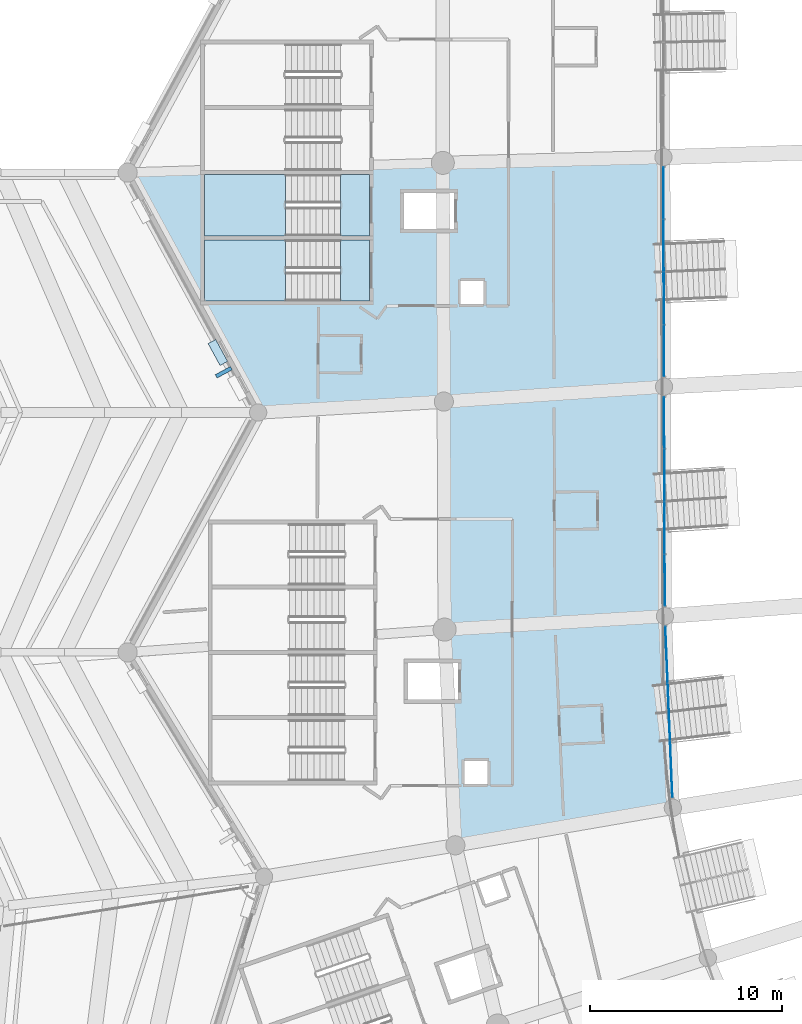
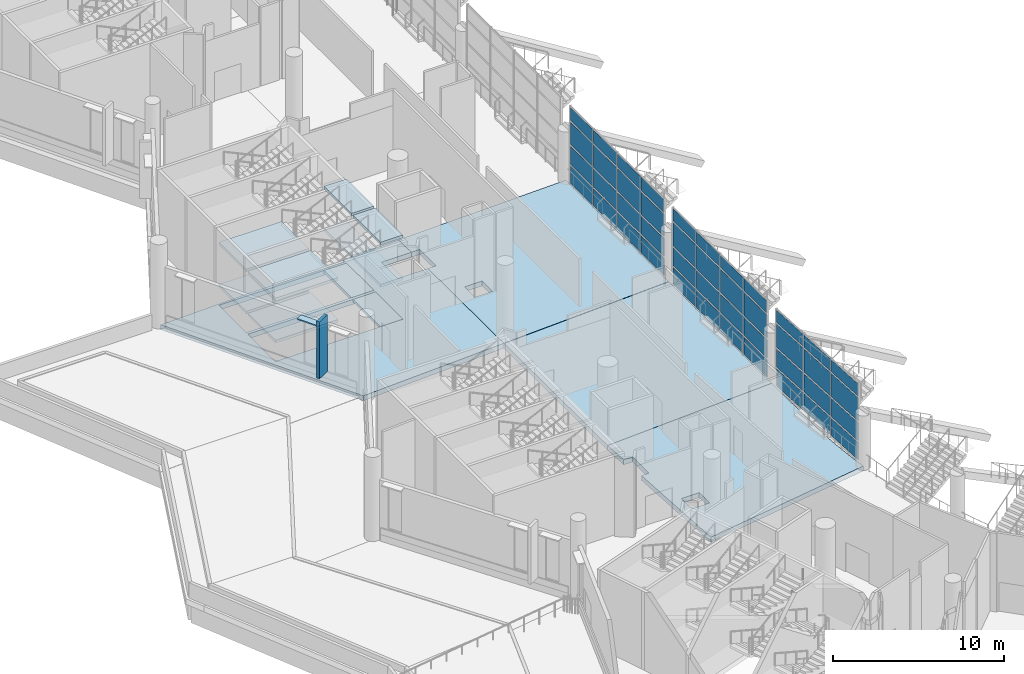
# One storey, part 25 of 173: 46 plates, 14 slabs, 5 elements without a shape of their own.
"""IFC4 building model written with IfcOpenShell, lengths in metres."""

import ifcopenshell
import ifcopenshell.guid

model = None  # the IFC model being written
_history = None  # IfcOwnerHistory: only IFC2X3 demands one
_inside = {}  # id of a spatial element -> (the spatial element, [elements in it])
_under = {}  # id of a project, library or spatial element -> (it, [spatial elements below it])
_declared = {}  # id of a project -> (the project, [libraries it declares])
_typed = {}  # id of a type object -> (the type object, [elements of that type])
_made_of = {}  # id of a material, layer set ... -> (it, [elements and type objects made of it])


def new_model(schema):
    """Start an empty IFC model of exactly this schema.

    Asked for "IFC4X3", IfcOpenShell would pick the latest addendum, in which some entities
    have other attributes; the version numbers below select the first issue.
    IFC2X3 requires an IfcOwnerHistory on every rooted entity: one is made here for all.
    """
    global model, _history
    if schema == "IFC4X3":
        model = ifcopenshell.file(schema_version=(4, 3, 0, 0))
    else:
        model = ifcopenshell.file(schema=schema)
    _inside.clear()
    _under.clear()
    _declared.clear()
    _typed.clear()
    _made_of.clear()
    _history = None
    if model.schema == "IFC2X3":
        org = make("IfcOrganization", Name="unknown")
        user = make(
            "IfcPersonAndOrganization",
            ThePerson=make("IfcPerson", FamilyName="unknown"),
            TheOrganization=org,
        )
        app = make(
            "IfcApplication",
            ApplicationDeveloper=org,
            Version="unknown",
            ApplicationFullName="unknown",
            ApplicationIdentifier="unknown",
        )
        _history = make(
            "IfcOwnerHistory",
            OwningUser=user,
            OwningApplication=app,
            ChangeAction="ADDED",
            CreationDate=0,
        )
    return model


def make(cls, **values):
    """One entity of the class cls with the attributes given. An attribute that is None is left unset."""
    return model.create_entity(
        cls, **{name: value for name, value in values.items() if value is not None}
    )


def rooted(cls, **values):
    """An entity with a GlobalId (a new one), such as an element, a storey or a relation."""
    return make(cls, GlobalId=ifcopenshell.guid.new(), OwnerHistory=_history, **values)


def si_unit(unit_type, name, prefix=None):
    """IfcSIUnit, for example si_unit("LENGTHUNIT", "METRE", prefix="MILLI")."""
    return make("IfcSIUnit", UnitType=unit_type, Prefix=prefix, Name=name)


def assignment(units):
    """IfcUnitAssignment: the units of a project."""
    return None if units is None else make("IfcUnitAssignment", Units=units)


def point(xyz):
    """IfcCartesianPoint."""
    return None if xyz is None else make("IfcCartesianPoint", Coordinates=xyz)


def direction(xyz):
    """IfcDirection."""
    return None if xyz is None else make("IfcDirection", DirectionRatios=xyz)


def frame(location, z_axis=None, x_axis=None):
    """IfcAxis2Placement3D, a coordinate frame: its origin and axes. An axis left out is left unset."""
    return make(
        "IfcAxis2Placement3D",
        Location=point(location),
        Axis=direction(z_axis),
        RefDirection=direction(x_axis),
    )


def frame_2d(location, x_axis=None):
    """IfcAxis2Placement2D, a coordinate frame in the plane: its origin and x axis."""
    return make(
        "IfcAxis2Placement2D", Location=point(location), RefDirection=direction(x_axis)
    )


def origin():
    """The frame at (0, 0, 0) with its axes left unset."""
    return frame((0.0, 0.0, 0.0))


def origin_2d():
    """The frame at (0, 0) in the plane with its x axis left unset."""
    return frame_2d((0.0, 0.0))


def place(relative_to, where):
    """IfcLocalPlacement: puts the frame where relative to a parent placement (None: the world)."""
    return make(
        "IfcLocalPlacement", PlacementRelTo=relative_to, RelativePlacement=where
    )


def context(
    kind, dimensions, precision=None, world=None, true_north=None, identifier=None
):
    """IfcGeometricRepresentationContext, for example the 3D "Model" context."""
    return make(
        "IfcGeometricRepresentationContext",
        ContextIdentifier=identifier,
        ContextType=kind,
        CoordinateSpaceDimension=dimensions,
        Precision=precision,
        WorldCoordinateSystem=world,
        TrueNorth=true_north,
    )


def subcontext(parent, identifier, kind, view, scale=None):
    """IfcGeometricRepresentationSubContext, for example "Body" below "Model"."""
    return make(
        "IfcGeometricRepresentationSubContext",
        ContextIdentifier=identifier,
        ContextType=kind,
        ParentContext=parent,
        TargetScale=scale,
        TargetView=view,
    )


def project(units=None, contexts=None):
    """IfcProject with its units and contexts."""
    return rooted(
        "IfcProject",
        Name="project",
        RepresentationContexts=contexts,
        UnitsInContext=assignment(units),
    )


def spatial(cls, under=None, at=None, **own):
    """A site, building, storey or space (cls), placed at a placement, below another one or the project."""
    s = rooted(cls, ObjectPlacement=at, **own)
    if under is not None:
        _under.setdefault(under.id(), (under, []))[1].append(s)
    return s


def polyline(points):
    """IfcPolyline through the points."""
    return make("IfcPolyline", Points=[point(p) for p in points])


def profile(cls, at=None, kind="AREA", **sizes):
    """A parametric profile (cls). Its sizes go by their IFC names, for example OverallWidth=200.0."""
    return make(cls, ProfileType=kind, Position=at, **sizes)


def rectangle(**sizes):
    """IfcRectangleProfileDef."""
    return profile("IfcRectangleProfileDef", **sizes)


def outline(outer, holes=None, kind="AREA"):
    """IfcArbitraryClosedProfileDef: a profile drawn as a closed curve; with holes, ...WithVoids."""
    if holes is None:
        return make("IfcArbitraryClosedProfileDef", ProfileType=kind, OuterCurve=outer)
    return make(
        "IfcArbitraryProfileDefWithVoids",
        ProfileType=kind,
        OuterCurve=outer,
        InnerCurves=holes,
    )


def extrude(swept, where, along, depth):
    """IfcExtrudedAreaSolid: the profile swept, set in the frame where, extruded along a direction by depth."""
    return make(
        "IfcExtrudedAreaSolid",
        SweptArea=swept,
        Position=where,
        ExtrudedDirection=direction(along),
        Depth=depth,
    )


def shape(context_of_items, identifier, shape_type, items):
    """IfcShapeRepresentation: the items that make up one representation, for example the "Body"."""
    return make(
        "IfcShapeRepresentation",
        ContextOfItems=context_of_items,
        RepresentationIdentifier=identifier,
        RepresentationType=shape_type,
        Items=items,
    )


def material(Name=None, Category=None):
    """IfcMaterial."""
    return make("IfcMaterial", Name=Name, Category=Category)


def layer(
    of_material, thickness, ventilated=None, Name=None, Category=None, Priority=None
):
    """IfcMaterialLayer: one layer of a wall or slab, of a material (None: an air gap)."""
    return make(
        "IfcMaterialLayer",
        Material=of_material,
        LayerThickness=thickness,
        IsVentilated=ventilated,
        Name=Name,
        Category=Category,
        Priority=Priority,
    )


def layer_set(layers, Name=None):
    """IfcMaterialLayerSet."""
    return make("IfcMaterialLayerSet", MaterialLayers=layers, LayerSetName=Name)


def made_of(thing, what):
    """Note that an element or type object is made of a material, layer set ...; save() writes the relation."""
    if what is not None:
        _made_of.setdefault(what.id(), (what, []))[1].append(thing)
    return thing


def type_object(cls, material=None, **own):
    """A type object (cls), such as IfcWallType, which elements share."""
    return made_of(rooted(cls, **own), material)


def element(
    cls,
    number,
    at=None,
    inside=None,
    cuts=None,
    type_object=None,
    material=None,
    context=None,
    identifier="Body",
    shape_type=None,
    held_by="IfcProductDefinitionShape",
    body=None,
    shapes=None,
    **own,
):
    """One element of the class cls, such as IfcWall. Its Tag is "e" and its number.

    at: its placement. inside: the storey or other place that contains it. cuts: it is an
    opening in that element (IfcRelVoidsElement). A single representation is given by context,
    identifier, shape_type and body (its items); several are given by shapes. held_by: the class
    of the entity that holds the representations. save() writes the other relations.
    """
    e = rooted(cls, Tag="e%d" % number, ObjectPlacement=at, **own)
    if body is not None:
        shapes = [shape(context, identifier, shape_type, body)]
    if shapes is not None:
        e.Representation = make(held_by, Representations=shapes)
    if inside is not None:
        _inside.setdefault(inside.id(), (inside, []))[1].append(e)
    if cuts is not None:
        rooted(
            "IfcRelVoidsElement", RelatingBuildingElement=cuts, RelatedOpeningElement=e
        )
    if type_object is not None:
        _typed.setdefault(type_object.id(), (type_object, []))[1].append(e)
    return made_of(e, material)


def aggregate(whole, parts):
    """IfcRelAggregates: a whole, such as a stair, and the parts it consists of."""
    return rooted("IfcRelAggregates", RelatingObject=whole, RelatedObjects=parts)


def save(model, path):
    """Write the relations noted so far, then the file.

    IfcRelAggregates (storeys below a building ...), IfcRelContainedInSpatialStructure (elements
    in a storey), IfcRelDefinesByType, IfcRelAssociatesMaterial and IfcRelDeclares: one each for
    every whole, place, type object, material and project.
    """
    for whole, parts in _under.values():
        aggregate(whole, parts)
    for where, things in _inside.values():
        rooted(
            "IfcRelContainedInSpatialStructure",
            RelatedElements=things,
            RelatingStructure=where,
        )
    for kind, things in _typed.values():
        rooted("IfcRelDefinesByType", RelatedObjects=things, RelatingType=kind)
    for what, things in _made_of.values():
        rooted("IfcRelAssociatesMaterial", RelatedObjects=things, RelatingMaterial=what)
    for by, libraries in _declared.values():
        rooted("IfcRelDeclares", RelatingContext=by, RelatedDefinitions=libraries)
    model.write(path)


model = new_model("IFC4")

# Units and contexts
model_context = context("Model", 3, precision=1e-05, world=origin(), true_north=direction((0.0, 1.0)))
body_context = subcontext(model_context, "Body", "Model", "MODEL_VIEW")
ifc_project = project(units=[si_unit("LENGTHUNIT", "METRE"), si_unit("AREAUNIT", "SQUARE_METRE"), si_unit("VOLUMEUNIT", "CUBIC_METRE"), si_unit("PLANEANGLEUNIT", "RADIAN"), si_unit("MASSUNIT", "GRAM", prefix="KILO")], contexts=[model_context])

# Site, building, storey
site_placement = place(None, origin())
site = spatial("IfcSite", under=ifc_project, at=site_placement, CompositionType="ELEMENT")
building_placement = place(site_placement, origin())
building = spatial("IfcBuilding", under=site, at=building_placement, Name="Meseta Stadium", CompositionType="ELEMENT")
storey_placement = place(building_placement, frame((0.0, 0.0, 18.0)))
storey = spatial("IfcBuildingStorey", under=building, at=storey_placement, Name="L03", CompositionType="ELEMENT", Elevation=18.0)

# Curtain wall, plates
ifc_material_1 = material(Name="Aluminium", Category="aluminium")
ifc_layer_1 = layer(ifc_material_1, 0.25)
ifc_layer_set_1 = layer_set([ifc_layer_1], Name="Media Centre glazing curtain wall")
curtain_wall_type = type_object("IfcCurtainWallType", Name="Media Centre glazing curtain wall", PredefinedType="NOTDEFINED", material=ifc_layer_set_1)
curtain_wall_1_placement = place(storey_placement, origin())
curtain_wall_1 = element("IfcCurtainWall", 1, at=curtain_wall_1_placement, inside=storey, type_object=curtain_wall_type, Name="Media Centre glazing bay 34", PredefinedType="NOTDEFINED")
ifc_material_2 = material(Name="Glass", Category="glass")
ifc_layer_2 = layer(ifc_material_2, 0.028076171875)
ifc_layer_set_2 = layer_set([ifc_layer_2], Name="CW glass panel 28")
plate_type_1 = type_object("IfcPlateType", Name="CW glass panel 28", PredefinedType="CURTAIN_PANEL", material=ifc_layer_set_2)
plate_1_placement = place(storey_placement, frame((-73.4775390625, -19.81298828125, 0.1201171875), z_axis=(0.0, 0.0, 1.0), x_axis=(0.002605544184, -0.999996605564, 0.0)))
plate_1 = element("IfcPlate", 2, at=plate_1_placement, type_object=plate_type_1, Name="CWM panel 1.1", PredefinedType="CURTAIN_PANEL", context=body_context, shape_type="SweptSolid", body=[
    extrude(rectangle(XDim=2.660400390625, YDim=0.028076171875, at=origin_2d()), origin(), (0.0, 0.0, 1.0), 1.232421875),
])
plate_2_placement = place(storey_placement, frame((-73.4775390625, -19.81298828125, 1.472412109375), z_axis=(0.0, 0.0, 1.0), x_axis=(0.002605544184, -0.999996605564, 0.0)))
plate_2 = element("IfcPlate", 3, at=plate_2_placement, type_object=plate_type_1, Name="CWM panel 1.2", PredefinedType="CURTAIN_PANEL", context=body_context, shape_type="SweptSolid", body=[
    extrude(rectangle(XDim=2.660400390625, YDim=0.028076171875, at=origin_2d()), origin(), (0.0, 0.0, 1.0), 1.29248046875),
])
plate_3_placement = place(storey_placement, frame((-73.4775390625, -19.81298828125, 2.884765625), z_axis=(0.0, 0.0, 1.0), x_axis=(0.002605544184, -0.999996605564, 0.0)))
plate_3 = element("IfcPlate", 4, at=plate_3_placement, type_object=plate_type_1, Name="CWM panel 1.3", PredefinedType="CURTAIN_PANEL", context=body_context, shape_type="SweptSolid", body=[
    extrude(rectangle(XDim=2.660400390625, YDim=0.028076171875, at=origin_2d()), origin(), (0.0, 0.0, 1.0), 1.593505859375),
])
plate_4_placement = place(storey_placement, frame((-73.4775390625, -19.81298828125, 4.5986328125), z_axis=(0.0, 0.0, 1.0), x_axis=(0.002605544184, -0.999996605564, 0.0)))
plate_4 = element("IfcPlate", 5, at=plate_4_placement, type_object=plate_type_1, Name="CWM panel 1.4", PredefinedType="CURTAIN_PANEL", context=body_context, shape_type="SweptSolid", body=[
    extrude(rectangle(XDim=2.660400390625, YDim=0.028076171875, at=origin_2d()), origin(), (0.0, 0.0, 1.0), 0.931396484375),
])
plate_5_placement = place(storey_placement, frame((-73.470458984375, -22.54833984375, 0.1201171875), z_axis=(0.0, 0.0, 1.0), x_axis=(0.002605544184, -0.999996605564, 0.0)))
plate_5 = element("IfcPlate", 6, at=plate_5_placement, type_object=plate_type_1, Name="CWM panel 2.1", PredefinedType="CURTAIN_PANEL", context=body_context, shape_type="SweptSolid", body=[
    extrude(rectangle(XDim=2.6904296875, YDim=0.028076171875, at=origin_2d()), origin(), (0.0, 0.0, 1.0), 1.232421875),
])
plate_6_placement = place(storey_placement, frame((-73.470458984375, -22.54833984375, 1.472412109375), z_axis=(0.0, 0.0, 1.0), x_axis=(0.002605544184, -0.999996605564, 0.0)))
plate_6 = element("IfcPlate", 7, at=plate_6_placement, type_object=plate_type_1, Name="CWM panel 2.2", PredefinedType="CURTAIN_PANEL", context=body_context, shape_type="SweptSolid", body=[
    extrude(rectangle(XDim=2.6904296875, YDim=0.028076171875, at=origin_2d()), origin(), (0.0, 0.0, 1.0), 1.29248046875),
])
plate_7_placement = place(storey_placement, frame((-73.470458984375, -22.54833984375, 2.884765625), z_axis=(0.0, 0.0, 1.0), x_axis=(0.002605544184, -0.999996605564, 0.0)))
plate_7 = element("IfcPlate", 8, at=plate_7_placement, type_object=plate_type_1, Name="CWM panel 2.3", PredefinedType="CURTAIN_PANEL", context=body_context, shape_type="SweptSolid", body=[
    extrude(rectangle(XDim=2.6904296875, YDim=0.028076171875, at=origin_2d()), origin(), (0.0, 0.0, 1.0), 1.593505859375),
])
plate_8_placement = place(storey_placement, frame((-73.470458984375, -22.54833984375, 4.5986328125), z_axis=(0.0, 0.0, 1.0), x_axis=(0.002605544184, -0.999996605564, 0.0)))
plate_8 = element("IfcPlate", 9, at=plate_8_placement, type_object=plate_type_1, Name="CWM panel 2.4", PredefinedType="CURTAIN_PANEL", context=body_context, shape_type="SweptSolid", body=[
    extrude(rectangle(XDim=2.6904296875, YDim=0.028076171875, at=origin_2d()), origin(), (0.0, 0.0, 1.0), 0.931396484375),
])
plate_9_placement = place(storey_placement, frame((-73.46337890625, -25.298828125, 0.1201171875), z_axis=(0.0, 0.0, 1.0), x_axis=(0.002605544184, -0.999996605564, 0.0)))
plate_9 = element("IfcPlate", 10, at=plate_9_placement, type_object=plate_type_1, Name="CWM panel 3.1", PredefinedType="CURTAIN_PANEL", context=body_context, shape_type="SweptSolid", body=[
    extrude(rectangle(XDim=2.6904296875, YDim=0.028076171875, at=origin_2d()), origin(), (0.0, 0.0, 1.0), 1.232421875),
])
plate_10_placement = place(storey_placement, frame((-73.46337890625, -25.298828125, 1.472412109375), z_axis=(0.0, 0.0, 1.0), x_axis=(0.002605544184, -0.999996605564, 0.0)))
plate_10 = element("IfcPlate", 11, at=plate_10_placement, type_object=plate_type_1, Name="CWM panel 3.2", PredefinedType="CURTAIN_PANEL", context=body_context, shape_type="SweptSolid", body=[
    extrude(rectangle(XDim=2.6904296875, YDim=0.028076171875, at=origin_2d()), origin(), (0.0, 0.0, 1.0), 1.29248046875),
])
plate_11_placement = place(storey_placement, frame((-73.46337890625, -25.298828125, 2.884765625), z_axis=(0.0, 0.0, 1.0), x_axis=(0.002605544184, -0.999996605564, 0.0)))
plate_11 = element("IfcPlate", 12, at=plate_11_placement, type_object=plate_type_1, Name="CWM panel 3.3", PredefinedType="CURTAIN_PANEL", context=body_context, shape_type="SweptSolid", body=[
    extrude(rectangle(XDim=2.6904296875, YDim=0.028076171875, at=origin_2d()), origin(), (0.0, 0.0, 1.0), 1.593505859375),
])
plate_12_placement = place(storey_placement, frame((-73.46337890625, -25.298828125, 4.5986328125), z_axis=(0.0, 0.0, 1.0), x_axis=(0.002605544184, -0.999996605564, 0.0)))
plate_12 = element("IfcPlate", 13, at=plate_12_placement, type_object=plate_type_1, Name="CWM panel 3.4", PredefinedType="CURTAIN_PANEL", context=body_context, shape_type="SweptSolid", body=[
    extrude(rectangle(XDim=2.6904296875, YDim=0.028076171875, at=origin_2d()), origin(), (0.0, 0.0, 1.0), 0.931396484375),
])
plate_13_placement = place(storey_placement, frame((-73.4560546875, -28.0341796875, 0.1201171875), z_axis=(0.0, 0.0, 1.0), x_axis=(0.002605544184, -0.999996605564, 0.0)))
plate_13 = element("IfcPlate", 14, at=plate_13_placement, type_object=plate_type_1, Name="CWM panel 4.1", PredefinedType="CURTAIN_PANEL", context=body_context, shape_type="SweptSolid", body=[
    extrude(rectangle(XDim=2.660400390625, YDim=0.028076171875, at=origin_2d()), origin(), (0.0, 0.0, 1.0), 1.232421875),
])
plate_14_placement = place(storey_placement, frame((-73.4560546875, -28.0341796875, 1.472412109375), z_axis=(0.0, 0.0, 1.0), x_axis=(0.002605544184, -0.999996605564, 0.0)))
plate_14 = element("IfcPlate", 15, at=plate_14_placement, type_object=plate_type_1, Name="CWM panel 4.2", PredefinedType="CURTAIN_PANEL", context=body_context, shape_type="SweptSolid", body=[
    extrude(rectangle(XDim=2.660400390625, YDim=0.028076171875, at=origin_2d()), origin(), (0.0, 0.0, 1.0), 1.29248046875),
])
plate_15_placement = place(storey_placement, frame((-73.4560546875, -28.0341796875, 2.884765625), z_axis=(0.0, 0.0, 1.0), x_axis=(0.002605544184, -0.999996605564, 0.0)))
plate_15 = element("IfcPlate", 16, at=plate_15_placement, type_object=plate_type_1, Name="CWM panel 4.3", PredefinedType="CURTAIN_PANEL", context=body_context, shape_type="SweptSolid", body=[
    extrude(rectangle(XDim=2.660400390625, YDim=0.028076171875, at=origin_2d()), origin(), (0.0, 0.0, 1.0), 1.593505859375),
])
plate_16_placement = place(storey_placement, frame((-73.4560546875, -28.0341796875, 4.5986328125), z_axis=(0.0, 0.0, 1.0), x_axis=(0.002605544184, -0.999996605564, 0.0)))
plate_16 = element("IfcPlate", 17, at=plate_16_placement, type_object=plate_type_1, Name="CWM panel 4.4", PredefinedType="CURTAIN_PANEL", context=body_context, shape_type="SweptSolid", body=[
    extrude(rectangle(XDim=2.660400390625, YDim=0.028076171875, at=origin_2d()), origin(), (0.0, 0.0, 1.0), 0.931396484375),
])
aggregate(curtain_wall_1, [plate_1, plate_2, plate_3, plate_4, plate_5, plate_6, plate_7, plate_8, plate_9, plate_10, plate_11, plate_12, plate_13, plate_14, plate_15, plate_16])

curtain_wall_2_placement = place(storey_placement, origin())
curtain_wall_2 = element("IfcCurtainWall", 18, at=curtain_wall_2_placement, inside=storey, type_object=curtain_wall_type, Name="Media Centre glazing bay 35", PredefinedType="NOTDEFINED")
plate_17_placement = place(storey_placement, frame((-73.444091796875, -31.7734375, 0.1201171875), z_axis=(0.0, 0.0, 1.0), x_axis=(0.003895107102, -0.999992414042, 0.0)))
plate_17 = element("IfcPlate", 19, at=plate_17_placement, type_object=plate_type_1, Name="CWM panel 1.1", PredefinedType="CURTAIN_PANEL", context=body_context, shape_type="SweptSolid", body=[
    extrude(rectangle(XDim=2.65966796875, YDim=0.028076171875, at=origin_2d()), origin(), (0.0, 0.0, 1.0), 1.232421875),
])
plate_18_placement = place(storey_placement, frame((-73.444091796875, -31.7734375, 1.472412109375), z_axis=(0.0, 0.0, 1.0), x_axis=(0.003895107102, -0.999992414042, 0.0)))
plate_18 = element("IfcPlate", 20, at=plate_18_placement, type_object=plate_type_1, Name="CWM panel 1.2", PredefinedType="CURTAIN_PANEL", context=body_context, shape_type="SweptSolid", body=[
    extrude(rectangle(XDim=2.65966796875, YDim=0.028076171875, at=origin_2d()), origin(), (0.0, 0.0, 1.0), 1.29248046875),
])
plate_19_placement = place(storey_placement, frame((-73.444091796875, -31.7734375, 2.885009765625), z_axis=(0.0, 0.0, 1.0), x_axis=(0.003895107102, -0.999992414042, 0.0)))
plate_19 = element("IfcPlate", 21, at=plate_19_placement, type_object=plate_type_1, Name="CWM panel 1.3", PredefinedType="CURTAIN_PANEL", context=body_context, shape_type="SweptSolid", body=[
    extrude(rectangle(XDim=2.65966796875, YDim=0.028076171875, at=origin_2d()), origin(), (0.0, 0.0, 1.0), 1.6640625),
])
plate_20_placement = place(storey_placement, frame((-73.444091796875, -31.7734375, 4.669189453125), z_axis=(0.0, 0.0, 1.0), x_axis=(0.003895107102, -0.999992414042, 0.0)))
plate_20 = element("IfcPlate", 22, at=plate_20_placement, type_object=plate_type_1, Name="CWM panel 1.4", PredefinedType="CURTAIN_PANEL", context=body_context, shape_type="SweptSolid", body=[
    extrude(rectangle(XDim=2.65966796875, YDim=0.028076171875, at=origin_2d()), origin(), (0.0, 0.0, 1.0), 0.86083984375),
])
plate_21_placement = place(storey_placement, frame((-73.433349609375, -34.508056640625, 0.1201171875), z_axis=(0.0, 0.0, 1.0), x_axis=(0.003895107102, -0.999992414042, 0.0)))
plate_21 = element("IfcPlate", 23, at=plate_21_placement, type_object=plate_type_1, Name="CWM panel 2.1", PredefinedType="CURTAIN_PANEL", context=body_context, shape_type="SweptSolid", body=[
    extrude(rectangle(XDim=2.689697265625, YDim=0.028076171875, at=origin_2d()), origin(), (0.0, 0.0, 1.0), 1.232421875),
])
plate_22_placement = place(storey_placement, frame((-73.433349609375, -34.508056640625, 1.472412109375), z_axis=(0.0, 0.0, 1.0), x_axis=(0.003895107102, -0.999992414042, 0.0)))
plate_22 = element("IfcPlate", 24, at=plate_22_placement, type_object=plate_type_1, Name="CWM panel 2.2", PredefinedType="CURTAIN_PANEL", context=body_context, shape_type="SweptSolid", body=[
    extrude(rectangle(XDim=2.689697265625, YDim=0.028076171875, at=origin_2d()), origin(), (0.0, 0.0, 1.0), 1.29248046875),
])
plate_23_placement = place(storey_placement, frame((-73.433349609375, -34.508056640625, 2.885009765625), z_axis=(0.0, 0.0, 1.0), x_axis=(0.003895107102, -0.999992414042, 0.0)))
plate_23 = element("IfcPlate", 25, at=plate_23_placement, type_object=plate_type_1, Name="CWM panel 2.3", PredefinedType="CURTAIN_PANEL", context=body_context, shape_type="SweptSolid", body=[
    extrude(rectangle(XDim=2.689697265625, YDim=0.028076171875, at=origin_2d()), origin(), (0.0, 0.0, 1.0), 1.6640625),
])
plate_24_placement = place(storey_placement, frame((-73.433349609375, -34.508056640625, 4.669189453125), z_axis=(0.0, 0.0, 1.0), x_axis=(0.003895107102, -0.999992414042, 0.0)))
plate_24 = element("IfcPlate", 26, at=plate_24_placement, type_object=plate_type_1, Name="CWM panel 2.4", PredefinedType="CURTAIN_PANEL", context=body_context, shape_type="SweptSolid", body=[
    extrude(rectangle(XDim=2.689697265625, YDim=0.028076171875, at=origin_2d()), origin(), (0.0, 0.0, 1.0), 0.86083984375),
])
plate_25_placement = place(storey_placement, frame((-73.422607421875, -37.257568359375, 0.1201171875), z_axis=(0.0, 0.0, 1.0), x_axis=(0.003895107102, -0.999992414042, 0.0)))
plate_25 = element("IfcPlate", 27, at=plate_25_placement, type_object=plate_type_1, Name="CWM panel 3.1", PredefinedType="CURTAIN_PANEL", context=body_context, shape_type="SweptSolid", body=[
    extrude(rectangle(XDim=2.689697265625, YDim=0.028076171875, at=origin_2d()), origin(), (0.0, 0.0, 1.0), 1.232421875),
])
plate_26_placement = place(storey_placement, frame((-73.422607421875, -37.257568359375, 1.472412109375), z_axis=(0.0, 0.0, 1.0), x_axis=(0.003895107102, -0.999992414042, 0.0)))
plate_26 = element("IfcPlate", 28, at=plate_26_placement, type_object=plate_type_1, Name="CWM panel 3.2", PredefinedType="CURTAIN_PANEL", context=body_context, shape_type="SweptSolid", body=[
    extrude(rectangle(XDim=2.689697265625, YDim=0.028076171875, at=origin_2d()), origin(), (0.0, 0.0, 1.0), 1.29248046875),
])
plate_27_placement = place(storey_placement, frame((-73.422607421875, -37.257568359375, 2.885009765625), z_axis=(0.0, 0.0, 1.0), x_axis=(0.003895107102, -0.999992414042, 0.0)))
plate_27 = element("IfcPlate", 29, at=plate_27_placement, type_object=plate_type_1, Name="CWM panel 3.3", PredefinedType="CURTAIN_PANEL", context=body_context, shape_type="SweptSolid", body=[
    extrude(rectangle(XDim=2.689697265625, YDim=0.028076171875, at=origin_2d()), origin(), (0.0, 0.0, 1.0), 1.6640625),
])
plate_28_placement = place(storey_placement, frame((-73.422607421875, -37.257568359375, 4.669189453125), z_axis=(0.0, 0.0, 1.0), x_axis=(0.003895107102, -0.999992414042, 0.0)))
plate_28 = element("IfcPlate", 30, at=plate_28_placement, type_object=plate_type_1, Name="CWM panel 3.4", PredefinedType="CURTAIN_PANEL", context=body_context, shape_type="SweptSolid", body=[
    extrude(rectangle(XDim=2.689697265625, YDim=0.028076171875, at=origin_2d()), origin(), (0.0, 0.0, 1.0), 0.86083984375),
])
plate_29_placement = place(storey_placement, frame((-73.411865234375, -39.9921875, 0.1201171875), z_axis=(0.0, 0.0, 1.0), x_axis=(0.003895107102, -0.999992414042, 0.0)))
plate_29 = element("IfcPlate", 31, at=plate_29_placement, type_object=plate_type_1, Name="CWM panel 4.1", PredefinedType="CURTAIN_PANEL", context=body_context, shape_type="SweptSolid", body=[
    extrude(rectangle(XDim=2.65966796875, YDim=0.028076171875, at=origin_2d()), origin(), (0.0, 0.0, 1.0), 1.232421875),
])
plate_30_placement = place(storey_placement, frame((-73.411865234375, -39.9921875, 1.472412109375), z_axis=(0.0, 0.0, 1.0), x_axis=(0.003895107102, -0.999992414042, 0.0)))
plate_30 = element("IfcPlate", 32, at=plate_30_placement, type_object=plate_type_1, Name="CWM panel 4.2", PredefinedType="CURTAIN_PANEL", context=body_context, shape_type="SweptSolid", body=[
    extrude(rectangle(XDim=2.65966796875, YDim=0.028076171875, at=origin_2d()), origin(), (0.0, 0.0, 1.0), 1.29248046875),
])
plate_31_placement = place(storey_placement, frame((-73.411865234375, -39.9921875, 2.885009765625), z_axis=(0.0, 0.0, 1.0), x_axis=(0.003895107102, -0.999992414042, 0.0)))
plate_31 = element("IfcPlate", 33, at=plate_31_placement, type_object=plate_type_1, Name="CWM panel 4.3", PredefinedType="CURTAIN_PANEL", context=body_context, shape_type="SweptSolid", body=[
    extrude(rectangle(XDim=2.65966796875, YDim=0.028076171875, at=origin_2d()), origin(), (0.0, 0.0, 1.0), 1.6640625),
])
plate_32_placement = place(storey_placement, frame((-73.411865234375, -39.9921875, 4.669189453125), z_axis=(0.0, 0.0, 1.0), x_axis=(0.003895107102, -0.999992414042, 0.0)))
plate_32 = element("IfcPlate", 34, at=plate_32_placement, type_object=plate_type_1, Name="CWM panel 4.4", PredefinedType="CURTAIN_PANEL", context=body_context, shape_type="SweptSolid", body=[
    extrude(rectangle(XDim=2.65966796875, YDim=0.028076171875, at=origin_2d()), origin(), (0.0, 0.0, 1.0), 0.86083984375),
])
aggregate(curtain_wall_2, [plate_17, plate_18, plate_19, plate_20, plate_21, plate_22, plate_23, plate_24, plate_25, plate_26, plate_27, plate_28, plate_29, plate_30, plate_31, plate_32])

curtain_wall_3_placement = place(storey_placement, origin())
curtain_wall_3 = element("IfcCurtainWall", 35, at=curtain_wall_3_placement, inside=storey, type_object=curtain_wall_type, Name="Media Centre glazing bay 36", PredefinedType="NOTDEFINED")
plate_33_placement = place(storey_placement, frame((-73.322265625, -43.860107421875, 0.1201171875), z_axis=(0.0, 0.0, 1.0), x_axis=(0.041275320623, -0.999147810841, 0.0)))
plate_33 = element("IfcPlate", 36, at=plate_33_placement, type_object=plate_type_1, Name="CWM panel 1.1", PredefinedType="CURTAIN_PANEL", context=body_context, shape_type="SweptSolid", body=[
    extrude(rectangle(XDim=2.920654296875, YDim=0.028076171875, at=origin_2d()), origin(), (0.0, 0.0, 1.0), 1.232421875),
])
plate_34_placement = place(storey_placement, frame((-73.322265625, -43.860107421875, 1.472412109375), z_axis=(0.0, 0.0, 1.0), x_axis=(0.041275320623, -0.999147810841, 0.0)))
plate_34 = element("IfcPlate", 37, at=plate_34_placement, type_object=plate_type_1, Name="CWM panel 1.2", PredefinedType="CURTAIN_PANEL", context=body_context, shape_type="SweptSolid", body=[
    extrude(rectangle(XDim=2.920654296875, YDim=0.028076171875, at=origin_2d()), origin(), (0.0, 0.0, 1.0), 1.29248046875),
])
plate_35_placement = place(storey_placement, frame((-73.322265625, -43.860107421875, 2.885009765625), z_axis=(0.0, 0.0, 1.0), x_axis=(0.041275320623, -0.999147810841, 0.0)))
plate_35 = element("IfcPlate", 38, at=plate_35_placement, type_object=plate_type_1, Name="CWM panel 1.3", PredefinedType="CURTAIN_PANEL", context=body_context, shape_type="SweptSolid", body=[
    extrude(rectangle(XDim=2.920654296875, YDim=0.028076171875, at=origin_2d()), origin(), (0.0, 0.0, 1.0), 1.65966796875),
])
plate_36_placement = place(storey_placement, frame((-73.322265625, -43.860107421875, 4.664794921875), z_axis=(0.0, 0.0, 1.0), x_axis=(0.041275320623, -0.999147810841, 0.0)))
plate_36 = element("IfcPlate", 39, at=plate_36_placement, type_object=plate_type_1, Name="CWM panel 1.4", PredefinedType="CURTAIN_PANEL", context=body_context, shape_type="SweptSolid", body=[
    extrude(rectangle(XDim=2.920654296875, YDim=0.028076171875, at=origin_2d()), origin(), (0.0, 0.0, 1.0), 0.865234375),
])
plate_37_placement = place(storey_placement, frame((-73.198486328125, -46.853271484375, 0.1201171875), z_axis=(0.0, 0.0, 1.0), x_axis=(0.041275320623, -0.999147810841, 0.0)))
plate_37 = element("IfcPlate", 40, at=plate_37_placement, type_object=plate_type_1, Name="CWM panel 2.1", PredefinedType="CURTAIN_PANEL", context=body_context, shape_type="SweptSolid", body=[
    extrude(rectangle(XDim=2.95068359375, YDim=0.028076171875, at=origin_2d()), origin(), (0.0, 0.0, 1.0), 1.232421875),
])
plate_38_placement = place(storey_placement, frame((-73.198486328125, -46.853271484375, 1.472412109375), z_axis=(0.0, 0.0, 1.0), x_axis=(0.041275320623, -0.999147810841, 0.0)))
plate_38 = element("IfcPlate", 41, at=plate_38_placement, type_object=plate_type_1, Name="CWM panel 2.2", PredefinedType="CURTAIN_PANEL", context=body_context, shape_type="SweptSolid", body=[
    extrude(rectangle(XDim=2.95068359375, YDim=0.028076171875, at=origin_2d()), origin(), (0.0, 0.0, 1.0), 1.29248046875),
])
plate_39_placement = place(storey_placement, frame((-73.198486328125, -46.853271484375, 2.885009765625), z_axis=(0.0, 0.0, 1.0), x_axis=(0.041275320623, -0.999147810841, 0.0)))
plate_39 = element("IfcPlate", 42, at=plate_39_placement, type_object=plate_type_1, Name="CWM panel 2.3", PredefinedType="CURTAIN_PANEL", context=body_context, shape_type="SweptSolid", body=[
    extrude(rectangle(XDim=2.95068359375, YDim=0.028076171875, at=origin_2d()), origin(), (0.0, 0.0, 1.0), 1.65966796875),
])
plate_40_placement = place(storey_placement, frame((-73.198486328125, -46.853271484375, 4.664794921875), z_axis=(0.0, 0.0, 1.0), x_axis=(0.041275320623, -0.999147810841, 0.0)))
plate_40 = element("IfcPlate", 43, at=plate_40_placement, type_object=plate_type_1, Name="CWM panel 2.4", PredefinedType="CURTAIN_PANEL", context=body_context, shape_type="SweptSolid", body=[
    extrude(rectangle(XDim=2.95068359375, YDim=0.028076171875, at=origin_2d()), origin(), (0.0, 0.0, 1.0), 0.865234375),
])
plate_41_placement = place(storey_placement, frame((-73.074951171875, -49.84619140625, 0.1201171875), z_axis=(0.0, 0.0, 1.0), x_axis=(0.041275320623, -0.999147810841, 0.0)))
plate_41 = element("IfcPlate", 44, at=plate_41_placement, type_object=plate_type_1, Name="CWM panel 3.1", PredefinedType="CURTAIN_PANEL", context=body_context, shape_type="SweptSolid", body=[
    extrude(rectangle(XDim=2.920654296875, YDim=0.028076171875, at=origin_2d()), origin(), (0.0, 0.0, 1.0), 1.232421875),
])
plate_42_placement = place(storey_placement, frame((-73.074951171875, -49.84619140625, 1.472412109375), z_axis=(0.0, 0.0, 1.0), x_axis=(0.041275320623, -0.999147810841, 0.0)))
plate_42 = element("IfcPlate", 45, at=plate_42_placement, type_object=plate_type_1, Name="CWM panel 3.2", PredefinedType="CURTAIN_PANEL", context=body_context, shape_type="SweptSolid", body=[
    extrude(rectangle(XDim=2.920654296875, YDim=0.028076171875, at=origin_2d()), origin(), (0.0, 0.0, 1.0), 1.29248046875),
])
plate_43_placement = place(storey_placement, frame((-73.074951171875, -49.84619140625, 2.885009765625), z_axis=(0.0, 0.0, 1.0), x_axis=(0.041275320623, -0.999147810841, 0.0)))
plate_43 = element("IfcPlate", 46, at=plate_43_placement, type_object=plate_type_1, Name="CWM panel 3.3", PredefinedType="CURTAIN_PANEL", context=body_context, shape_type="SweptSolid", body=[
    extrude(rectangle(XDim=2.920654296875, YDim=0.028076171875, at=origin_2d()), origin(), (0.0, 0.0, 1.0), 1.65966796875),
])
plate_44_placement = place(storey_placement, frame((-73.074951171875, -49.84619140625, 4.664794921875), z_axis=(0.0, 0.0, 1.0), x_axis=(0.041275320623, -0.999147810841, 0.0)))
plate_44 = element("IfcPlate", 47, at=plate_44_placement, type_object=plate_type_1, Name="CWM panel 3.4", PredefinedType="CURTAIN_PANEL", context=body_context, shape_type="SweptSolid", body=[
    extrude(rectangle(XDim=2.920654296875, YDim=0.028076171875, at=origin_2d()), origin(), (0.0, 0.0, 1.0), 0.865234375),
])
aggregate(curtain_wall_3, [plate_33, plate_34, plate_35, plate_36, plate_37, plate_38, plate_39, plate_40, plate_41, plate_42, plate_43, plate_44])

# Slabs
ifc_material_3 = material(Name="Concrete C40/50", Category="concrete")
ifc_layer_3 = layer(ifc_material_3, 0.35009765625)
ifc_layer_set_3 = layer_set([ifc_layer_3], Name="Floor slab 350")
slab_type_1 = type_object("IfcSlabType", Name="Floor slab 350", PredefinedType="FLOOR", material=ifc_layer_set_3)
slab_1_placement = place(storey_placement, frame((0.0, 0.0, -0.35009765625)))
element("IfcSlab", 48, at=slab_1_placement, inside=storey, type_object=slab_type_1, Name="Floor slab L03 sector 28 panel 02", PredefinedType="FLOOR", context=body_context, shape_type="SweptSolid", body=[
    extrude(outline(polyline([(-94.70361328125, -31.059326171875), (-84.926025390625, -30.523193359375), (-84.9638671875, -21.699951171875), (-87.0, -21.699951171875), (-87.0, -19.800048828125), (-84.971923828125, -19.800048828125), (-84.978271484375, -18.32177734375), (-88.800048828125, -18.447509765625), (-88.800048828125, -18.64990234375), (-94.9599609375, -18.64990234375), (-101.340087890625, -18.85986328125), (-94.70361328125, -31.059326171875)]), holes=[polyline([(-97.39990234375, -22.25), (-88.800048828125, -22.25), (-88.800048828125, -25.449951171875), (-97.39990234375, -25.449951171875), (-97.39990234375, -22.25)]), polyline([(-97.39990234375, -18.85009765625), (-88.800048828125, -18.85009765625), (-88.800048828125, -22.050048828125), (-97.39990234375, -22.050048828125), (-97.39990234375, -18.85009765625)])]), origin(), (0.0, 0.0, 1.0), 0.35009765625),
])
slab_2_placement = place(storey_placement, frame((0.0, 0.0, -0.35009765625)))
element("IfcSlab", 49, at=slab_2_placement, inside=storey, type_object=slab_type_1, Name="Floor slab L03 sector 28 panel 13", PredefinedType="FLOOR", context=body_context, shape_type="SweptSolid", body=[
    extrude(outline(polyline([(-84.926025390625, -30.523193359375), (-73.451416015625, -29.89404296875), (-73.46875, -23.924072265625), (-73.482421875, -17.943603515625), (-84.978271484375, -18.32177734375), (-84.971923828125, -19.800048828125), (-84.39990234375, -19.800048828125), (-84.39990234375, -21.699951171875), (-84.9638671875, -21.699951171875), (-84.926025390625, -30.523193359375)]), holes=[polyline([(-82.85009765625, -24.39990234375), (-82.85009765625, -25.60009765625), (-84.050048828125, -25.60009765625), (-84.050048828125, -24.39990234375), (-82.85009765625, -24.39990234375)])]), origin(), (0.0, 0.0, 1.0), 0.35009765625),
])
slab_3_placement = place(storey_placement, frame((0.0, 0.0, -0.35009765625)))
element("IfcSlab", 50, at=slab_3_placement, inside=storey, type_object=slab_type_1, Name="Floor slab L03 sector 35 panel 06", PredefinedType="FLOOR", context=body_context, shape_type="SweptSolid", body=[
    extrude(outline(polyline([(-73.421875, -37.87646484375), (-73.451416015625, -29.9140625), (-84.92578125, -30.543212890625), (-84.884033203125, -42.5615234375), (-73.40478515625, -41.8623046875), (-73.421875, -37.87646484375)])), origin(), (0.0, 0.0, 1.0), 0.35009765625),
])
slab_4_placement = place(storey_placement, frame((0.0, 0.0, -0.35009765625)))
element("IfcSlab", 51, at=slab_4_placement, inside=storey, type_object=slab_type_1, Name="Floor slab L03 sector 35 panel 07", PredefinedType="FLOOR", context=body_context, shape_type="SweptSolid", body=[
    extrude(outline(polyline([(-73.287353515625, -49.1796875), (-73.375732421875, -47.840087890625), (-73.40478515625, -41.8623046875), (-84.884033203125, -42.5615234375), (-84.797607421875, -44.300048828125), (-84.199951171875, -44.300048828125), (-84.199951171875, -46.199951171875), (-84.703125, -46.199951171875), (-84.33154296875, -53.67333984375), (-72.9921875, -51.84716796875), (-73.15966796875, -50.515625), (-73.287353515625, -49.1796875)]), holes=[polyline([(-82.64990234375, -50.60009765625), (-83.85009765625, -50.60009765625), (-83.85009765625, -49.39990234375), (-82.64990234375, -49.39990234375), (-82.64990234375, -50.60009765625)])]), origin(), (0.0, 0.0, 1.0), 0.35009765625),
])

# Plates
ifc_material_4 = material(Name="White precast concrete C40/50", Category="concrete")
ifc_layer_4 = layer(ifc_material_4, 0.080078125)
ifc_layer_set_4 = layer_set([ifc_layer_4], Name="Louvre hood 1300x450")
plate_type_2 = type_object("IfcPlateType", Name="Louvre hood 1300x450", PredefinedType="USERDEFINED", material=ifc_layer_set_4)
plate_45_placement = place(storey_placement, frame((-96.699462890625, -28.123046875, 4.25), z_axis=(0.0, 0.0, 1.0), x_axis=(0.477867090202, -0.878432151109, 0.0)))
element("IfcPlate", 52, at=plate_45_placement, inside=storey, type_object=plate_type_2, Name="Louvre hood L03 F34", ObjectType="LOUVRE", PredefinedType="USERDEFINED", context=body_context, shape_type="SweptSolid", body=[
    extrude(rectangle(XDim=1.300048828125, YDim=0.449951171875, at=origin_2d()), origin(), (0.0, 0.0, 1.0), 0.080078125),
])
ifc_material_5 = material(Name="Precast concrete C40/50, terracotta pigment", Category="masonry")
ifc_layer_5 = layer(ifc_material_5, 0.199951171875)
ifc_layer_set_5 = layer_set([ifc_layer_5], Name="Precast concrete C40/50, terracotta pigment")
plate_type_3 = type_object("IfcPlateType", Name="Precast fin 200x900", PredefinedType="USERDEFINED", material=ifc_layer_set_5)
plate_46_placement = place(storey_placement, frame((-96.395263671875, -29.153076171875, 0.9501953125), z_axis=(0.0, 0.0, 1.0), x_axis=(-0.47786723231, 0.878432073802, 0.0)))
element("IfcPlate", 53, at=plate_46_placement, inside=storey, type_object=plate_type_3, Name="Precast fin L03 F34.1", ObjectType="FIN", PredefinedType="USERDEFINED", context=body_context, shape_type="SweptSolid", body=[
    extrude(rectangle(XDim=0.199951171875, YDim=0.89990234375, at=origin_2d()), origin(), (0.0, 0.0, 1.0), 4.050048828125),
])

# Stair, slabs
ifc_material_6 = material(Name="Concrete C40/50", Category="concrete")
stair_type = type_object("IfcStairType", Name="Exit stair 4 flights 150 mm risers", PredefinedType="HALF_TURN_STAIR", material=ifc_material_6)
stair_1_placement = place(storey_placement, origin())
stair_1 = element("IfcStair", 54, at=stair_1_placement, inside=storey, type_object=stair_type, Name="ST71 L03", PredefinedType="HALF_TURN_STAIR")
ifc_material_7 = material(Name="Concrete C40/50", Category="concrete")
ifc_layer_6 = layer(ifc_material_7, 0.199951171875)
ifc_layer_set_6 = layer_set([ifc_layer_6], Name="Stair landing 200")
slab_type_2 = type_object("IfcSlabType", Name="Stair landing 200", PredefinedType="LANDING", material=ifc_layer_set_6)
slab_5_placement = place(storey_placement, frame((0.0, 0.0, 1.300048828125)))
slab_5 = element("IfcSlab", 55, at=slab_5_placement, type_object=slab_type_2, Name="ST71 L03 landing 1", PredefinedType="LANDING", context=body_context, shape_type="SweptSolid", body=[
    extrude(outline(polyline([(-93.169921875, -18.85009765625), (-97.39990234375, -18.85009765625), (-97.39990234375, -22.050048828125), (-93.169921875, -22.050048828125), (-93.169921875, -18.85009765625)])), origin(), (0.0, 0.0, 1.0), 0.199951171875),
])
slab_6_placement = place(storey_placement, frame((0.0, 0.0, 2.800048828125)))
slab_6 = element("IfcSlab", 56, at=slab_6_placement, type_object=slab_type_2, Name="ST71 L03 landing 2", PredefinedType="LANDING", context=body_context, shape_type="SweptSolid", body=[
    extrude(outline(polyline([(-88.800048828125, -18.85009765625), (-90.31005859375, -18.85009765625), (-90.31005859375, -22.050048828125), (-88.800048828125, -22.050048828125), (-88.800048828125, -18.85009765625)])), origin(), (0.0, 0.0, 1.0), 0.199951171875),
])
slab_7_placement = place(storey_placement, frame((0.0, 0.0, 4.300048828125)))
slab_7 = element("IfcSlab", 57, at=slab_7_placement, type_object=slab_type_2, Name="ST71 L03 landing 3", PredefinedType="LANDING", context=body_context, shape_type="SweptSolid", body=[
    extrude(outline(polyline([(-93.169921875, -18.85009765625), (-97.39990234375, -18.85009765625), (-97.39990234375, -22.050048828125), (-93.169921875, -22.050048828125), (-93.169921875, -18.85009765625)])), origin(), (0.0, 0.0, 1.0), 0.199951171875),
])
slab_8_placement = place(storey_placement, frame((0.0, 0.0, -0.199951171875)))
slab_8 = element("IfcSlab", 58, at=slab_8_placement, type_object=slab_type_2, Name="ST71 L03 landing 4", PredefinedType="LANDING", context=body_context, shape_type="SweptSolid", body=[
    extrude(outline(polyline([(-88.800048828125, -18.85009765625), (-90.31005859375, -18.85009765625), (-90.31005859375, -22.050048828125), (-88.800048828125, -22.050048828125), (-88.800048828125, -18.85009765625)])), origin(), (0.0, 0.0, 1.0), 0.199951171875),
])
slab_9_placement = place(storey_placement, frame((0.0, 0.0, 5.800048828125)))
slab_9 = element("IfcSlab", 59, at=slab_9_placement, type_object=slab_type_2, Name="ST71 L03 landing 5", PredefinedType="LANDING", context=body_context, shape_type="SweptSolid", body=[
    extrude(outline(polyline([(-88.800048828125, -18.85009765625), (-90.31005859375, -18.85009765625), (-90.31005859375, -22.050048828125), (-88.800048828125, -22.050048828125), (-88.800048828125, -18.85009765625)])), origin(), (0.0, 0.0, 1.0), 0.199951171875),
])
aggregate(stair_1, [slab_5, slab_6, slab_7, slab_8, slab_9])

stair_2_placement = place(storey_placement, origin())
stair_2 = element("IfcStair", 60, at=stair_2_placement, inside=storey, type_object=stair_type, Name="ST72 L03", PredefinedType="HALF_TURN_STAIR")
slab_10_placement = place(storey_placement, frame((0.0, 0.0, 1.300048828125)))
slab_10 = element("IfcSlab", 61, at=slab_10_placement, type_object=slab_type_2, Name="ST72 L03 landing 1", PredefinedType="LANDING", context=body_context, shape_type="SweptSolid", body=[
    extrude(outline(polyline([(-93.169921875, -22.25), (-97.39990234375, -22.25), (-97.39990234375, -25.449951171875), (-93.169921875, -25.449951171875), (-93.169921875, -22.25)])), origin(), (0.0, 0.0, 1.0), 0.199951171875),
])
slab_11_placement = place(storey_placement, frame((0.0, 0.0, 2.800048828125)))
slab_11 = element("IfcSlab", 62, at=slab_11_placement, type_object=slab_type_2, Name="ST72 L03 landing 2", PredefinedType="LANDING", context=body_context, shape_type="SweptSolid", body=[
    extrude(outline(polyline([(-88.800048828125, -22.25), (-90.31005859375, -22.25), (-90.31005859375, -25.449951171875), (-88.800048828125, -25.449951171875), (-88.800048828125, -22.25)])), origin(), (0.0, 0.0, 1.0), 0.199951171875),
])
slab_12_placement = place(storey_placement, frame((0.0, 0.0, 4.300048828125)))
slab_12 = element("IfcSlab", 63, at=slab_12_placement, type_object=slab_type_2, Name="ST72 L03 landing 3", PredefinedType="LANDING", context=body_context, shape_type="SweptSolid", body=[
    extrude(outline(polyline([(-93.169921875, -22.25), (-97.39990234375, -22.25), (-97.39990234375, -25.449951171875), (-93.169921875, -25.449951171875), (-93.169921875, -22.25)])), origin(), (0.0, 0.0, 1.0), 0.199951171875),
])
slab_13_placement = place(storey_placement, frame((0.0, 0.0, -0.199951171875)))
slab_13 = element("IfcSlab", 64, at=slab_13_placement, type_object=slab_type_2, Name="ST72 L03 landing 4", PredefinedType="LANDING", context=body_context, shape_type="SweptSolid", body=[
    extrude(outline(polyline([(-88.800048828125, -22.25), (-90.31005859375, -22.25), (-90.31005859375, -25.449951171875), (-88.800048828125, -25.449951171875), (-88.800048828125, -22.25)])), origin(), (0.0, 0.0, 1.0), 0.199951171875),
])
slab_14_placement = place(storey_placement, frame((0.0, 0.0, 5.800048828125)))
slab_14 = element("IfcSlab", 65, at=slab_14_placement, type_object=slab_type_2, Name="ST72 L03 landing 5", PredefinedType="LANDING", context=body_context, shape_type="SweptSolid", body=[
    extrude(outline(polyline([(-88.800048828125, -22.25), (-90.31005859375, -22.25), (-90.31005859375, -25.449951171875), (-88.800048828125, -25.449951171875), (-88.800048828125, -22.25)])), origin(), (0.0, 0.0, 1.0), 0.199951171875),
])
aggregate(stair_2, [slab_10, slab_11, slab_12, slab_13, slab_14])

save(model, "model.ifc")
